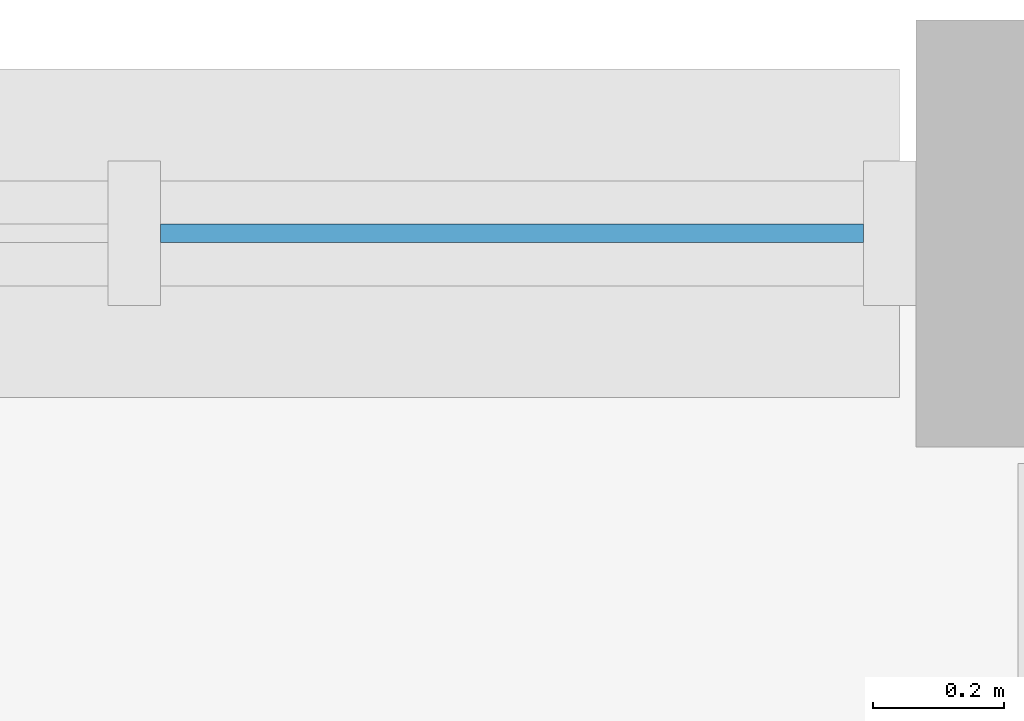
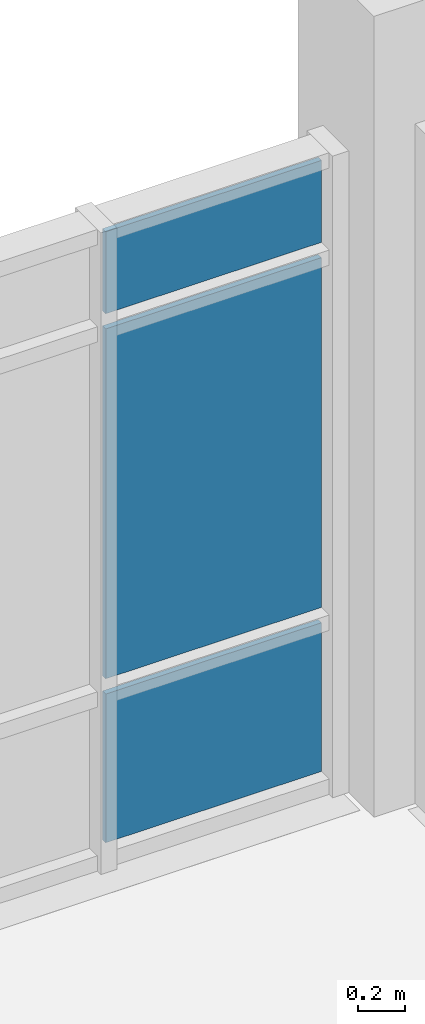
# One storey, part 9 of 16: 3 plates, 1 element without a shape of its own.
"""IFC4 building model written with IfcOpenShell, lengths in metres."""

from ifc_helpers import new_model, si_unit, direction, frame, origin, origin_2d, place, context, subcontext, project, spatial, rectangle, extrude, material, layer, layer_set, type_object, element, aggregate, save


model = new_model("IFC4")

# Units and contexts
model_context = context("Model", 3, precision=1e-05, world=origin(), true_north=direction((0.0, 1.0)))
body_context = subcontext(model_context, "Body", "Model", "MODEL_VIEW")
ifc_project = project(units=[si_unit("LENGTHUNIT", "METRE"), si_unit("AREAUNIT", "SQUARE_METRE"), si_unit("VOLUMEUNIT", "CUBIC_METRE"), si_unit("PLANEANGLEUNIT", "RADIAN"), si_unit("MASSUNIT", "GRAM", prefix="KILO")], contexts=[model_context])

# Site, building, storey
site_placement = place(None, origin())
site = spatial("IfcSite", under=ifc_project, at=site_placement, CompositionType="ELEMENT")
building_placement = place(site_placement, origin())
building = spatial("IfcBuilding", under=site, at=building_placement, Name="Ciguamira Faculty of Natural Sciences", CompositionType="ELEMENT")
storey_placement = place(building_placement, frame((0.0, 0.0, 25.199951171875)))
storey = spatial("IfcBuildingStorey", under=building, at=storey_placement, Name="L06", CompositionType="ELEMENT", Elevation=25.199951171875)

# Curtain wall, plates
ifc_material_1 = material(Name="Anodized aluminium curtain wall", Category="aluminium")
curtain_wall_type = type_object("IfcCurtainWallType", Name="CurtainWall_CW-03", PredefinedType="USERDEFINED", material=ifc_material_1)
curtain_wall_placement = place(storey_placement, origin())
curtain_wall = element("IfcCurtainWall", 1, at=curtain_wall_placement, inside=storey, type_object=curtain_wall_type, Name="L06 unitised curtain wall 0147", ObjectType="UNITISED CURTAIN WALL", PredefinedType="USERDEFINED")
ifc_material_2 = material(Name="Low-E laminated solar glass", Category="glass")
ifc_layer = layer(ifc_material_2, 0.028076171875, Name="Low-E laminated solar glass")
ifc_layer_set = layer_set([ifc_layer], Name="Low-E laminated solar glass")
plate_type = type_object("IfcPlateType", Name="CWPanel_CWP-01", PredefinedType="CURTAIN_PANEL", material=ifc_layer_set)
plate_1_placement = place(storey_placement, frame((109.159912109375, 115.0, 0.080078125), z_axis=(0.0, 0.0, 1.0), x_axis=(1.0, 0.0, 0.0)))
plate_1 = element("IfcPlate", 2, at=plate_1_placement, type_object=plate_type, Name="CW-03 panel 5.1", PredefinedType="CURTAIN_PANEL", context=body_context, shape_type="SweptSolid", body=[
    extrude(rectangle(XDim=1.070068359375, YDim=0.028076171875, at=origin_2d()), origin(), (0.0, 0.0, 1.0), 0.780029296875),
])
plate_2_placement = place(storey_placement, frame((109.159912109375, 115.0, 0.940185546875), z_axis=(0.0, 0.0, 1.0), x_axis=(1.0, 0.0, 0.0)))
plate_2 = element("IfcPlate", 3, at=plate_2_placement, type_object=plate_type, Name="CW-03 panel 5.2", PredefinedType="CURTAIN_PANEL", context=body_context, shape_type="SweptSolid", body=[
    extrude(rectangle(XDim=1.070068359375, YDim=0.028076171875, at=origin_2d()), origin(), (0.0, 0.0, 1.0), 1.8349609375),
])
plate_3_placement = place(storey_placement, frame((109.159912109375, 115.0, 2.85498046875), z_axis=(0.0, 0.0, 1.0), x_axis=(1.0, 0.0, 0.0)))
plate_3 = element("IfcPlate", 4, at=plate_3_placement, type_object=plate_type, Name="CW-03 panel 5.3", PredefinedType="CURTAIN_PANEL", context=body_context, shape_type="SweptSolid", body=[
    extrude(rectangle(XDim=1.070068359375, YDim=0.028076171875, at=origin_2d()), origin(), (0.0, 0.0, 1.0), 0.429931640625),
])
aggregate(curtain_wall, [plate_1, plate_2, plate_3])

save(model, "model.ifc")
